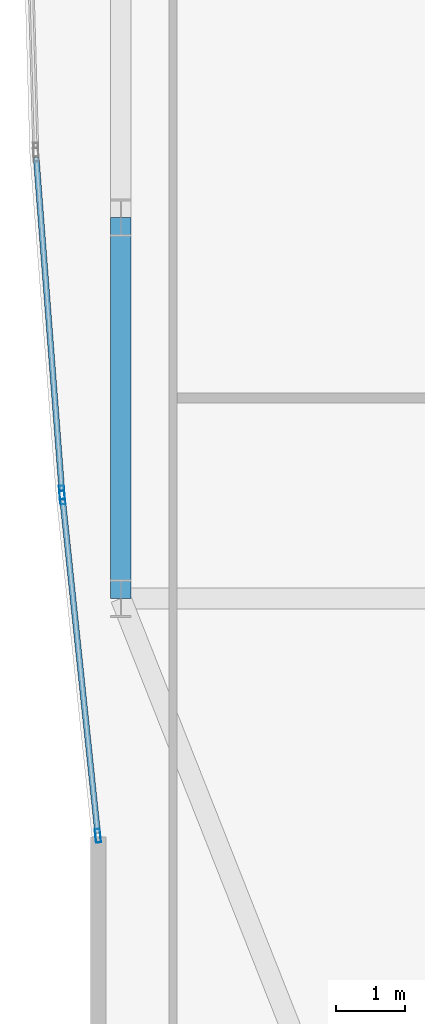
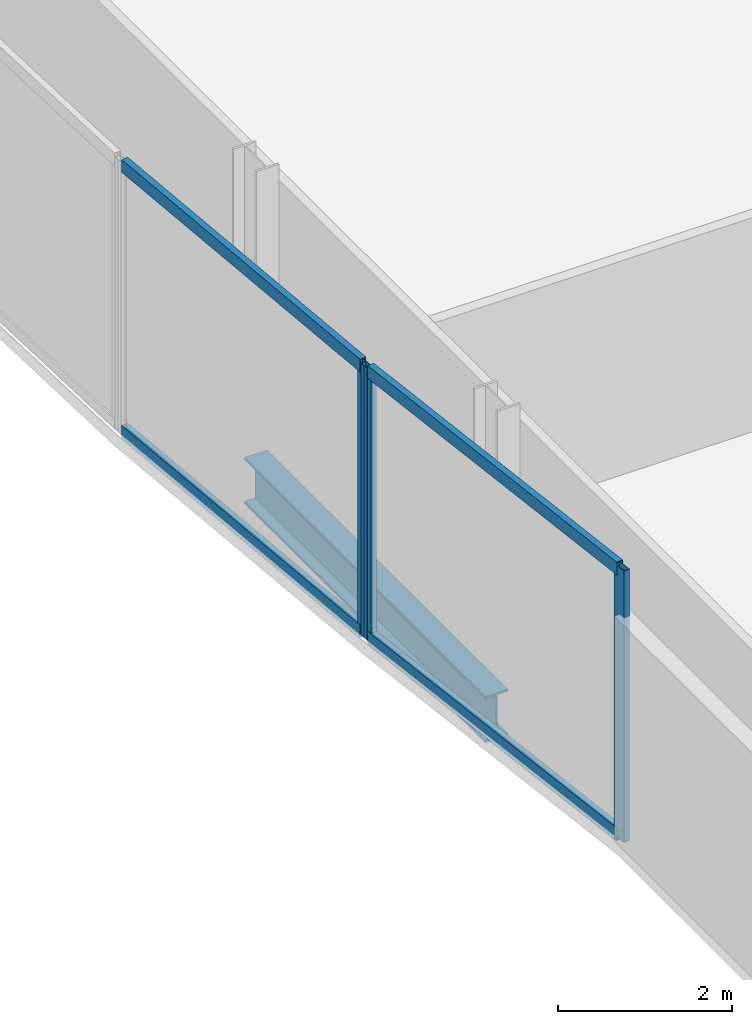
# One storey, part 6 of 30: 7 members, 1 beam, 2 elements without a shape of their own.
"""IFC4 building model written with IfcOpenShell, lengths in metres."""

from ifc_helpers import new_model, si_unit, direction, frame, origin, origin_2d, place, context, subcontext, project, spatial, hollow_rectangle, i_section, extrude, material, material_profile, profile_set, type_object, element, aggregate, save


model = new_model("IFC4")

# Units and contexts
model_context = context("Model", 3, precision=1e-05, world=origin(), true_north=direction((0.0, 1.0)))
body_context = subcontext(model_context, "Body", "Model", "MODEL_VIEW")
ifc_project = project(units=[si_unit("LENGTHUNIT", "METRE"), si_unit("AREAUNIT", "SQUARE_METRE"), si_unit("VOLUMEUNIT", "CUBIC_METRE"), si_unit("PLANEANGLEUNIT", "RADIAN"), si_unit("MASSUNIT", "GRAM", prefix="KILO")], contexts=[model_context])

# Site, building, storey
site_placement = place(None, origin())
site = spatial("IfcSite", under=ifc_project, at=site_placement, CompositionType="ELEMENT")
building_placement = place(site_placement, origin())
building = spatial("IfcBuilding", under=site, at=building_placement, Name="Khoronbel Lancet Exchange", CompositionType="ELEMENT")
storey_placement = place(building_placement, frame((0.0, 0.0, 90.60009765625)))
storey = spatial("IfcBuildingStorey", under=building, at=storey_placement, Name="L21", CompositionType="ELEMENT", Elevation=90.60009765625)

# Beam
ifc_material_1 = material(Name="Steel S355", Category="steel")
ifc_material_profile_1 = material_profile(ifc_material_1, i_section(OverallWidth=0.300048828125, OverallDepth=0.64990234375, WebThickness=0.01611328125, FlangeThickness=0.031005859375, at=origin_2d()), Name="HEB 650")
ifc_profile_set_1 = profile_set([ifc_material_profile_1], Name="Steel S355")
beam_type = type_object("IfcBeamType", Name="BM-BSP1", PredefinedType="SPANDREL", material=ifc_profile_set_1)
beam_placement = place(storey_placement, frame((3.27001953125, 24.75, -0.505126953125), z_axis=(0.0, -1.0, 0.0), x_axis=(1.0, 0.0, 0.0)))
element("IfcBeam", 1, at=beam_placement, inside=storey, type_object=beam_type, Name="Level L21 perimeter spandrel beam SP20", PredefinedType="SPANDREL", context=body_context, shape_type="SweptSolid", body=[
    extrude(i_section(OverallWidth=0.300048828125, OverallDepth=0.64990234375, WebThickness=0.01611328125, FlangeThickness=0.031005859375, at=origin_2d()), origin(), (0.0, 0.0, 1.0), 5.550048828125),
])

# Curtain wall, members
ifc_material_2 = material(Name="Low-E Solar Control Insulating Glass", Category="glass")
curtain_wall_type = type_object("IfcCurtainWallType", Name="CW-4", PredefinedType="NOTDEFINED", material=ifc_material_2)
curtain_wall_1_placement = place(storey_placement, origin())
curtain_wall_1 = element("IfcCurtainWall", 2, at=curtain_wall_1_placement, inside=storey, type_object=curtain_wall_type, Name="Unitised curtain wall CW-L21-E04", PredefinedType="NOTDEFINED")
ifc_material_3 = material(Name="Bronze-Anodised Aluminium 6063-T6", Category="aluminium")
ifc_material_profile_2 = material_profile(ifc_material_3, hollow_rectangle(XDim=0.074951171875, YDim=0.199951171875, WallThickness=0.0048828125, at=origin_2d()), Name="ALU MULLION 75x200")
ifc_profile_set_2 = profile_set([ifc_material_profile_2], Name="Bronze-Anodised Aluminium 6063-T6")
member_type_1 = type_object("IfcMemberType", Name="MEM-CWM2", PredefinedType="MULLION", material=ifc_profile_set_2)
member_1_placement = place(storey_placement, frame((2.93603515625, 15.741943359375, 0.0), z_axis=(0.0, 0.0, 1.0), x_axis=(-0.994531779003, -0.104434383958, 0.0)))
member_1 = element("IfcMember", 3, at=member_1_placement, type_object=member_type_1, Name="CW4 mullion 1", PredefinedType="MULLION", context=body_context, shape_type="SweptSolid", body=[
    extrude(hollow_rectangle(XDim=0.074951171875, YDim=0.199951171875, WallThickness=0.0048828125, at=origin_2d()), origin(), (0.0, 0.0, 1.0), 3.81982421875),
])
member_2_placement = place(storey_placement, frame((2.41845703125, 20.6708984375, 0.0), z_axis=(0.0, 0.0, 1.0), x_axis=(-0.994531779003, -0.104434383958, 0.0)))
member_2 = element("IfcMember", 4, at=member_2_placement, type_object=member_type_1, Name="CW4 mullion 2", PredefinedType="MULLION", context=body_context, shape_type="SweptSolid", body=[
    extrude(hollow_rectangle(XDim=0.074951171875, YDim=0.199951171875, WallThickness=0.0048828125, at=origin_2d()), origin(), (0.0, 0.0, 1.0), 3.81982421875),
])

# Curtain wall, member
curtain_wall_2_placement = place(storey_placement, origin())
curtain_wall_2 = element("IfcCurtainWall", 5, at=curtain_wall_2_placement, inside=storey, type_object=curtain_wall_type, Name="Unitised curtain wall CW-L21-E05", PredefinedType="NOTDEFINED")
member_3_placement = place(storey_placement, frame((2.41162109375, 20.74560546875, 0.0), z_axis=(0.0, 0.0, 1.0), x_axis=(-0.997059882555, -0.076626304874, 0.0)))
member_3 = element("IfcMember", 6, at=member_3_placement, type_object=member_type_1, Name="CW4 mullion 1", PredefinedType="MULLION", context=body_context, shape_type="SweptSolid", body=[
    extrude(hollow_rectangle(XDim=0.074951171875, YDim=0.199951171875, WallThickness=0.0048828125, at=origin_2d()), origin(), (0.0, 0.0, 1.0), 3.81982421875),
])

# Member
ifc_material_profile_3 = material_profile(ifc_material_3, hollow_rectangle(XDim=0.0849609375, YDim=0.179931640625, WallThickness=0.0048828125, at=origin_2d()), Name="ALU TRANSOM 85x180")
ifc_profile_set_3 = profile_set([ifc_material_profile_3], Name="Bronze-Anodised Aluminium 6063-T6")
member_type_2 = type_object("IfcMemberType", Name="MEM-CWT1", PredefinedType="USERDEFINED", material=ifc_profile_set_3)
member_4_placement = place(storey_placement, frame((2.93212890625, 15.779296875, 0.04248046875), z_axis=(-0.104440030005, 0.994531186104, 0.0), x_axis=(-0.994531186104, -0.104440030005, 0.0)))
member_4 = element("IfcMember", 7, at=member_4_placement, type_object=member_type_2, Name="CW4 transom 1.1", ObjectType="TRANSOM", PredefinedType="USERDEFINED", context=body_context, shape_type="SweptSolid", body=[
    extrude(hollow_rectangle(XDim=0.0849609375, YDim=0.179931640625, WallThickness=0.0048828125, at=origin_2d()), origin(), (0.0, 0.0, 1.0), 4.880859375),
])

member_5_placement = place(storey_placement, frame((2.93212890625, 15.779296875, 3.77734375), z_axis=(-0.104440030005, 0.994531186104, 0.0), x_axis=(-0.994531186104, -0.104440030005, 0.0)))
member_5 = element("IfcMember", 8, at=member_5_placement, type_object=member_type_2, Name="CW4 transom 1.2", ObjectType="TRANSOM", PredefinedType="USERDEFINED", context=body_context, shape_type="SweptSolid", body=[
    extrude(hollow_rectangle(XDim=0.0849609375, YDim=0.179931640625, WallThickness=0.0048828125, at=origin_2d()), origin(), (0.0, 0.0, 1.0), 4.880859375),
])

aggregate(curtain_wall_1, [member_1, member_2, member_4, member_5])

member_6_placement = place(storey_placement, frame((2.408935546875, 20.782958984375, 0.04248046875), z_axis=(-0.076638891079, 0.997058915197, 0.0), x_axis=(-0.997058915197, -0.076638891079, 0.0)))
member_6 = element("IfcMember", 9, at=member_6_placement, type_object=member_type_2, Name="CW4 transom 1.1", ObjectType="TRANSOM", PredefinedType="USERDEFINED", context=body_context, shape_type="SweptSolid", body=[
    extrude(hollow_rectangle(XDim=0.0849609375, YDim=0.179931640625, WallThickness=0.0048828125, at=origin_2d()), origin(), (0.0, 0.0, 1.0), 4.861328125),
])

member_7_placement = place(storey_placement, frame((2.408935546875, 20.782958984375, 3.77734375), z_axis=(-0.076638891079, 0.997058915197, 0.0), x_axis=(-0.997058915197, -0.076638891079, 0.0)))
member_7 = element("IfcMember", 10, at=member_7_placement, type_object=member_type_2, Name="CW4 transom 1.2", ObjectType="TRANSOM", PredefinedType="USERDEFINED", context=body_context, shape_type="SweptSolid", body=[
    extrude(hollow_rectangle(XDim=0.0849609375, YDim=0.179931640625, WallThickness=0.0048828125, at=origin_2d()), origin(), (0.0, 0.0, 1.0), 4.861328125),
])

aggregate(curtain_wall_2, [member_3, member_6, member_7])

save(model, "model.ifc")
